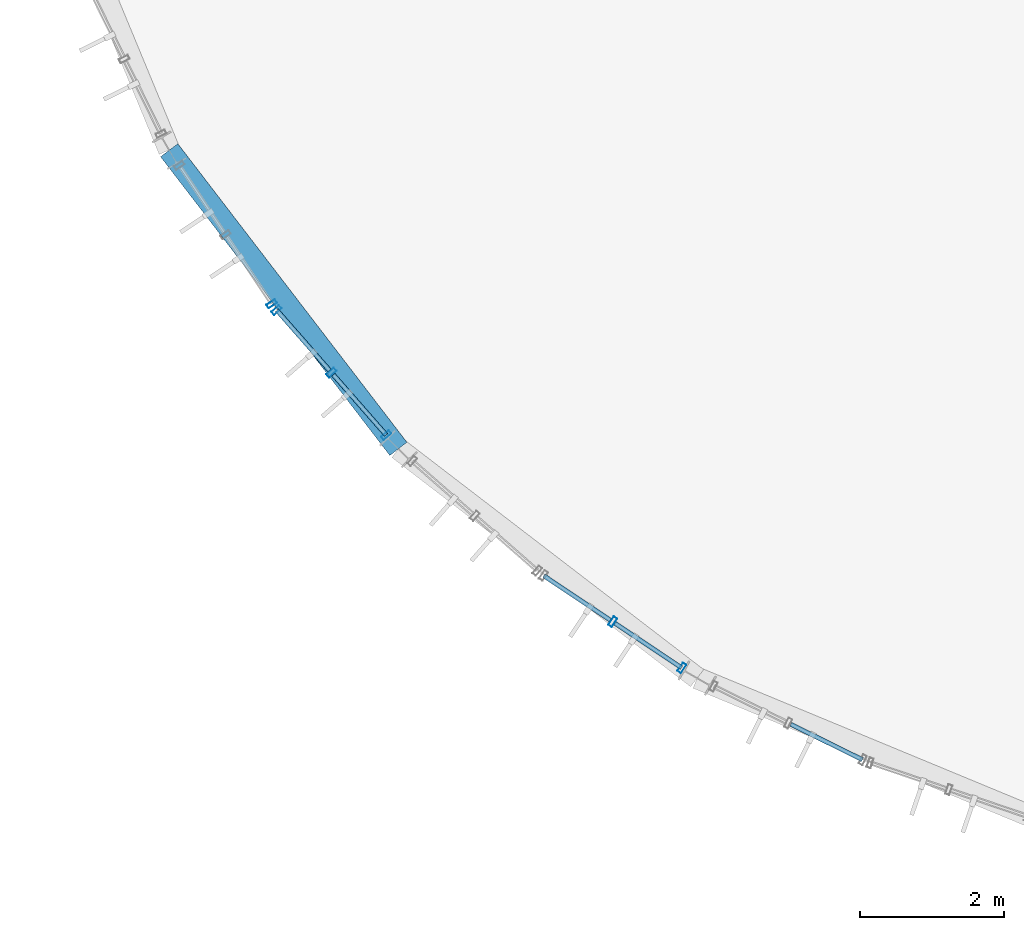
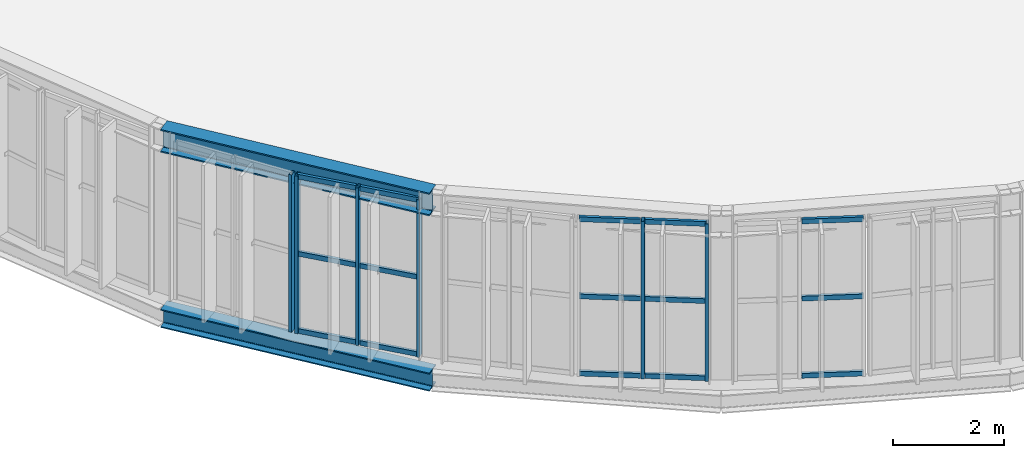
# One storey, part 12 of 152: 21 members, 2 beams, 4 elements without a shape of their own.
"""IFC4 building model written with IfcOpenShell, lengths in metres."""

from ifc_helpers import new_model, si_unit, derived_unit, direction, frame, origin, origin_2d, place, context, subcontext, project, spatial, hollow_rectangle, i_section, extrude, material, material_profile, profile_set, type_object, element, aggregate, save


model = new_model("IFC4")

# Units and contexts
model_context = context("Model", 3, precision=1e-05, world=origin(), true_north=direction((0.0, 1.0)))
body_context = subcontext(model_context, "Body", "Model", "MODEL_VIEW")
ifc_project = project(units=[si_unit("LENGTHUNIT", "METRE"), si_unit("AREAUNIT", "SQUARE_METRE"), si_unit("VOLUMEUNIT", "CUBIC_METRE"), si_unit("PLANEANGLEUNIT", "RADIAN"), si_unit("MASSUNIT", "GRAM", prefix="KILO"), si_unit("THERMODYNAMICTEMPERATUREUNIT", "KELVIN"), si_unit("TIMEUNIT", "SECOND"), derived_unit("THERMALTRANSMITTANCEUNIT", [(si_unit("MASSUNIT", "GRAM", prefix="KILO"), 1), (si_unit("THERMODYNAMICTEMPERATUREUNIT", "KELVIN"), -1), (si_unit("TIMEUNIT", "SECOND"), -3)])], contexts=[model_context])

# Site, building, storey
site_placement = place(None, origin())
site = spatial("IfcSite", under=ifc_project, at=site_placement, CompositionType="ELEMENT")
building_placement = place(site_placement, origin())
building = spatial("IfcBuilding", under=site, at=building_placement, Name="Cambertide Market Hall", CompositionType="ELEMENT")
storey_placement = place(building_placement, frame((0.0, 0.0, 5.39990234375)))
storey = spatial("IfcBuildingStorey", under=building, at=storey_placement, Name="L02", CompositionType="ELEMENT", Elevation=5.39990234375)

# Curtain wall, member
ifc_material_1 = material(Name="Marine Anodized Aluminium 6063-T6 AA25", Category="aluminium")
curtain_wall_type = type_object("IfcCurtainWallType", Name="Lantern Apse Chord Upper Curtain Wall", PredefinedType="USERDEFINED", material=ifc_material_1)
curtain_wall_1_placement = place(storey_placement, origin())
curtain_wall_1 = element("IfcCurtainWall", 1, at=curtain_wall_1_placement, inside=storey, type_object=curtain_wall_type, Name="Level 2 Curtain Wall CW-V1AW-L02-17", ObjectType="UNITIZED CURTAIN WALL", PredefinedType="USERDEFINED")
ifc_material_2 = material(Name="Champagne Marine Anodized Aluminium 6063-T6 AA25", Category="aluminium")
ifc_material_profile_1 = material_profile(ifc_material_2, hollow_rectangle(XDim=0.06005859375, YDim=0.139892578125, WallThickness=0.00341796875, at=origin_2d()), Name="ALU MULLION 60x140")
ifc_profile_set_1 = profile_set([ifc_material_profile_1], Name="Champagne Marine Anodized Aluminium 6063-T6 AA25")
member_type_1 = type_object("IfcMemberType", Name="Curtain Wall Mullion ALU MULLION 60x140", PredefinedType="MULLION", material=ifc_profile_set_1)
member_1_placement = place(storey_placement, frame((26.102294921875, 59.87060546875, 0.0), z_axis=(0.0, 0.0, 1.0), x_axis=(-0.555570087582, 0.831469709481, 0.0)))
member_1 = element("IfcMember", 2, at=member_1_placement, type_object=member_type_1, Name="CW-V1AW-L02-17 Mullion 1", PredefinedType="MULLION", context=body_context, shape_type="SweptSolid", body=[
    extrude(hollow_rectangle(XDim=0.06005859375, YDim=0.139892578125, WallThickness=0.00341796875, at=origin_2d()), origin(), (0.0, 0.0, 1.0), 3.4501953125),
])
aggregate(curtain_wall_1, [member_1])

# Curtain wall, members
curtain_wall_2_placement = place(storey_placement, origin())
curtain_wall_2 = element("IfcCurtainWall", 3, at=curtain_wall_2_placement, inside=storey, type_object=curtain_wall_type, Name="Level 2 Curtain Wall CW-V1AW-L02-18", ObjectType="UNITIZED CURTAIN WALL", PredefinedType="USERDEFINED")
member_2_placement = place(storey_placement, frame((27.689697265625, 58.049560546875, 0.0), z_axis=(0.0, 0.0, 1.0), x_axis=(-0.659345784014, 0.751839834741, 0.0)))
member_2 = element("IfcMember", 4, at=member_2_placement, type_object=member_type_1, Name="CW-V1AW-L02-18 Mullion 1", PredefinedType="MULLION", context=body_context, shape_type="SweptSolid", body=[
    extrude(hollow_rectangle(XDim=0.06005859375, YDim=0.139892578125, WallThickness=0.00341796875, at=origin_2d()), origin(), (0.0, 0.0, 1.0), 3.4501953125),
])
member_3_placement = place(storey_placement, frame((26.929443359375, 58.91650390625, 0.0), z_axis=(0.0, 0.0, 1.0), x_axis=(-0.659345784014, 0.751839834741, 0.0)))
member_3 = element("IfcMember", 5, at=member_3_placement, type_object=member_type_1, Name="CW-V1AW-L02-18 Mullion 2", PredefinedType="MULLION", context=body_context, shape_type="SweptSolid", body=[
    extrude(hollow_rectangle(XDim=0.06005859375, YDim=0.139892578125, WallThickness=0.00341796875, at=origin_2d()), origin(), (0.0, 0.0, 1.0), 3.4501953125),
])
member_4_placement = place(storey_placement, frame((26.169189453125, 59.783447265625, 0.0), z_axis=(0.0, 0.0, 1.0), x_axis=(-0.659345784014, 0.751839834741, 0.0)))
member_4 = element("IfcMember", 6, at=member_4_placement, type_object=member_type_1, Name="CW-V1AW-L02-18 Mullion 3", PredefinedType="MULLION", context=body_context, shape_type="SweptSolid", body=[
    extrude(hollow_rectangle(XDim=0.06005859375, YDim=0.139892578125, WallThickness=0.00341796875, at=origin_2d()), origin(), (0.0, 0.0, 1.0), 3.4501953125),
])

curtain_wall_3_placement = place(storey_placement, origin())
curtain_wall_3 = element("IfcCurtainWall", 7, at=curtain_wall_3_placement, inside=storey, type_object=curtain_wall_type, Name="Level 2 Curtain Wall CW-V1AW-L02-20", ObjectType="UNITIZED CURTAIN WALL", PredefinedType="USERDEFINED")
member_5_placement = place(storey_placement, frame((31.7880859375, 54.821044921875, 0.0), z_axis=(0.0, 0.0, 1.0), x_axis=(-0.831469709481, 0.555570087582, 0.0)))
member_5 = element("IfcMember", 8, at=member_5_placement, type_object=member_type_1, Name="CW-V1AW-L02-20 Mullion 1", PredefinedType="MULLION", context=body_context, shape_type="SweptSolid", body=[
    extrude(hollow_rectangle(XDim=0.06005859375, YDim=0.139892578125, WallThickness=0.00341796875, at=origin_2d()), origin(), (0.0, 0.0, 1.0), 3.4501953125),
])
member_6_placement = place(storey_placement, frame((30.829345703125, 55.461669921875, 0.0), z_axis=(0.0, 0.0, 1.0), x_axis=(-0.831469709481, 0.555570087582, 0.0)))
member_6 = element("IfcMember", 9, at=member_6_placement, type_object=member_type_1, Name="CW-V1AW-L02-20 Mullion 2", PredefinedType="MULLION", context=body_context, shape_type="SweptSolid", body=[
    extrude(hollow_rectangle(XDim=0.06005859375, YDim=0.139892578125, WallThickness=0.00341796875, at=origin_2d()), origin(), (0.0, 0.0, 1.0), 3.4501953125),
])

# Member
ifc_material_3 = material(Name="Champagne Marine Anodized Aluminium 6063-T6 AA25", Category="aluminium")
ifc_material_profile_2 = material_profile(ifc_material_3, hollow_rectangle(XDim=0.06005859375, YDim=0.10498046875, WallThickness=0.0029296875, at=origin_2d()), Name="ALU TRANSOM 60x105")
ifc_profile_set_2 = profile_set([ifc_material_profile_2], Name="Champagne Marine Anodized Aluminium 6063-T6 AA25")
member_type_2 = type_object("IfcMemberType", Name="Curtain Wall Transom ALU TRANSOM 60x105", PredefinedType="USERDEFINED", material=ifc_profile_set_2)
member_7_placement = place(storey_placement, frame((27.6865234375, 58.05322265625, 0.03515625), z_axis=(-0.659330789082, 0.751852984677, 0.0), x_axis=(-0.751852984677, -0.659330789082, 0.0)))
member_7 = element("IfcMember", 10, at=member_7_placement, type_object=member_type_2, Name="CW-V1AW-L02-18 Transom 1-1", ObjectType="TRANSOM", PredefinedType="USERDEFINED", context=body_context, shape_type="SweptSolid", body=[
    extrude(hollow_rectangle(XDim=0.06005859375, YDim=0.10498046875, WallThickness=0.0029296875, at=origin_2d()), origin(), (0.0, 0.0, 1.0), 1.108154296875),
])

member_8_placement = place(storey_placement, frame((26.903076171875, 58.946533203125, 0.03515625), z_axis=(-0.659315460062, 0.751866427049, 0.0), x_axis=(-0.751866427049, -0.659315460062, 0.0)))
member_8 = element("IfcMember", 11, at=member_8_placement, type_object=member_type_2, Name="CW-V1AW-L02-18 Transom 1-2", ObjectType="TRANSOM", PredefinedType="USERDEFINED", context=body_context, shape_type="SweptSolid", body=[
    extrude(hollow_rectangle(XDim=0.06005859375, YDim=0.10498046875, WallThickness=0.0029296875, at=origin_2d()), origin(), (0.0, 0.0, 1.0), 1.10791015625),
])

member_9_placement = place(storey_placement, frame((27.6865234375, 58.05322265625, 1.72509765625), z_axis=(-0.659330789082, 0.751852984677, 0.0), x_axis=(-0.751852984677, -0.659330789082, 0.0)))
member_9 = element("IfcMember", 12, at=member_9_placement, type_object=member_type_2, Name="CW-V1AW-L02-18 Transom 2-1", ObjectType="TRANSOM", PredefinedType="USERDEFINED", context=body_context, shape_type="SweptSolid", body=[
    extrude(hollow_rectangle(XDim=0.06005859375, YDim=0.10498046875, WallThickness=0.0029296875, at=origin_2d()), origin(), (0.0, 0.0, 1.0), 1.108154296875),
])

member_10_placement = place(storey_placement, frame((26.903076171875, 58.946533203125, 1.72509765625), z_axis=(-0.659315460062, 0.751866427049, 0.0), x_axis=(-0.751866427049, -0.659315460062, 0.0)))
member_10 = element("IfcMember", 13, at=member_10_placement, type_object=member_type_2, Name="CW-V1AW-L02-18 Transom 2-2", ObjectType="TRANSOM", PredefinedType="USERDEFINED", context=body_context, shape_type="SweptSolid", body=[
    extrude(hollow_rectangle(XDim=0.06005859375, YDim=0.10498046875, WallThickness=0.0029296875, at=origin_2d()), origin(), (0.0, 0.0, 1.0), 1.10791015625),
])

member_11_placement = place(storey_placement, frame((27.6865234375, 58.05322265625, 3.4150390625), z_axis=(-0.659330789082, 0.751852984677, 0.0), x_axis=(-0.751852984677, -0.659330789082, 0.0)))
member_11 = element("IfcMember", 14, at=member_11_placement, type_object=member_type_2, Name="CW-V1AW-L02-18 Transom 3-1", ObjectType="TRANSOM", PredefinedType="USERDEFINED", context=body_context, shape_type="SweptSolid", body=[
    extrude(hollow_rectangle(XDim=0.06005859375, YDim=0.10498046875, WallThickness=0.0029296875, at=origin_2d()), origin(), (0.0, 0.0, 1.0), 1.108154296875),
])

member_12_placement = place(storey_placement, frame((26.903076171875, 58.946533203125, 3.4150390625), z_axis=(-0.659315460062, 0.751866427049, 0.0), x_axis=(-0.751866427049, -0.659315460062, 0.0)))
member_12 = element("IfcMember", 15, at=member_12_placement, type_object=member_type_2, Name="CW-V1AW-L02-18 Transom 3-2", ObjectType="TRANSOM", PredefinedType="USERDEFINED", context=body_context, shape_type="SweptSolid", body=[
    extrude(hollow_rectangle(XDim=0.06005859375, YDim=0.10498046875, WallThickness=0.0029296875, at=origin_2d()), origin(), (0.0, 0.0, 1.0), 1.10791015625),
])

aggregate(curtain_wall_2, [member_2, member_3, member_4, member_7, member_8, member_9, member_10, member_11, member_12])

member_13_placement = place(storey_placement, frame((31.783935546875, 54.823974609375, 0.03515625), z_axis=(-0.83154148111, 0.555462658685, 0.0), x_axis=(-0.555462658685, -0.83154148111, 0.0)))
member_13 = element("IfcMember", 16, at=member_13_placement, type_object=member_type_2, Name="CW-V1AW-L02-20 Transom 1-1", ObjectType="TRANSOM", PredefinedType="USERDEFINED", context=body_context, shape_type="SweptSolid", body=[
    extrude(hollow_rectangle(XDim=0.06005859375, YDim=0.10498046875, WallThickness=0.0029296875, at=origin_2d()), origin(), (0.0, 0.0, 1.0), 1.108154296875),
])

member_14_placement = place(storey_placement, frame((30.7958984375, 55.48388671875, 0.03515625), z_axis=(-0.831371680054, 0.55571677103, 0.0), x_axis=(-0.55571677103, -0.831371680054, 0.0)))
member_14 = element("IfcMember", 17, at=member_14_placement, type_object=member_type_2, Name="CW-V1AW-L02-20 Transom 1-2", ObjectType="TRANSOM", PredefinedType="USERDEFINED", context=body_context, shape_type="SweptSolid", body=[
    extrude(hollow_rectangle(XDim=0.06005859375, YDim=0.10498046875, WallThickness=0.0029296875, at=origin_2d()), origin(), (0.0, 0.0, 1.0), 1.10791015625),
])

member_15_placement = place(storey_placement, frame((31.783935546875, 54.823974609375, 1.72509765625), z_axis=(-0.83154148111, 0.555462658685, 0.0), x_axis=(-0.555462658685, -0.83154148111, 0.0)))
member_15 = element("IfcMember", 18, at=member_15_placement, type_object=member_type_2, Name="CW-V1AW-L02-20 Transom 2-1", ObjectType="TRANSOM", PredefinedType="USERDEFINED", context=body_context, shape_type="SweptSolid", body=[
    extrude(hollow_rectangle(XDim=0.06005859375, YDim=0.10498046875, WallThickness=0.0029296875, at=origin_2d()), origin(), (0.0, 0.0, 1.0), 1.108154296875),
])

member_16_placement = place(storey_placement, frame((30.7958984375, 55.48388671875, 1.72509765625), z_axis=(-0.831371680054, 0.55571677103, 0.0), x_axis=(-0.55571677103, -0.831371680054, 0.0)))
member_16 = element("IfcMember", 19, at=member_16_placement, type_object=member_type_2, Name="CW-V1AW-L02-20 Transom 2-2", ObjectType="TRANSOM", PredefinedType="USERDEFINED", context=body_context, shape_type="SweptSolid", body=[
    extrude(hollow_rectangle(XDim=0.06005859375, YDim=0.10498046875, WallThickness=0.0029296875, at=origin_2d()), origin(), (0.0, 0.0, 1.0), 1.10791015625),
])

member_17_placement = place(storey_placement, frame((31.783935546875, 54.823974609375, 3.4150390625), z_axis=(-0.83154148111, 0.555462658685, 0.0), x_axis=(-0.555462658685, -0.83154148111, 0.0)))
member_17 = element("IfcMember", 20, at=member_17_placement, type_object=member_type_2, Name="CW-V1AW-L02-20 Transom 3-1", ObjectType="TRANSOM", PredefinedType="USERDEFINED", context=body_context, shape_type="SweptSolid", body=[
    extrude(hollow_rectangle(XDim=0.06005859375, YDim=0.10498046875, WallThickness=0.0029296875, at=origin_2d()), origin(), (0.0, 0.0, 1.0), 1.108154296875),
])

member_18_placement = place(storey_placement, frame((30.7958984375, 55.48388671875, 3.4150390625), z_axis=(-0.831371680054, 0.55571677103, 0.0), x_axis=(-0.55571677103, -0.831371680054, 0.0)))
member_18 = element("IfcMember", 21, at=member_18_placement, type_object=member_type_2, Name="CW-V1AW-L02-20 Transom 3-2", ObjectType="TRANSOM", PredefinedType="USERDEFINED", context=body_context, shape_type="SweptSolid", body=[
    extrude(hollow_rectangle(XDim=0.06005859375, YDim=0.10498046875, WallThickness=0.0029296875, at=origin_2d()), origin(), (0.0, 0.0, 1.0), 1.10791015625),
])

aggregate(curtain_wall_3, [member_5, member_6, member_13, member_14, member_15, member_16, member_17, member_18])

# Curtain wall, members
curtain_wall_4_placement = place(storey_placement, origin())
curtain_wall_4 = element("IfcCurtainWall", 22, at=curtain_wall_4_placement, inside=storey, type_object=curtain_wall_type, Name="Level 2 Curtain Wall CW-V1AW-L02-21", ObjectType="UNITIZED CURTAIN WALL", PredefinedType="USERDEFINED")
member_19_placement = place(storey_placement, frame((34.29248046875, 53.548828125, 0.03515625), z_axis=(-0.896794227794, 0.44244786472, 0.0), x_axis=(-0.44244786472, -0.896794227794, 0.0)))
member_19 = element("IfcMember", 23, at=member_19_placement, type_object=member_type_2, Name="CW-V1AW-L02-21 Transom 1-1", ObjectType="TRANSOM", PredefinedType="USERDEFINED", context=body_context, shape_type="SweptSolid", body=[
    extrude(hollow_rectangle(XDim=0.06005859375, YDim=0.10498046875, WallThickness=0.0029296875, at=origin_2d()), origin(), (0.0, 0.0, 1.0), 1.10791015625),
])
member_20_placement = place(storey_placement, frame((34.29248046875, 53.548828125, 1.72509765625), z_axis=(-0.896794227794, 0.44244786472, 0.0), x_axis=(-0.44244786472, -0.896794227794, 0.0)))
member_20 = element("IfcMember", 24, at=member_20_placement, type_object=member_type_2, Name="CW-V1AW-L02-21 Transom 2-1", ObjectType="TRANSOM", PredefinedType="USERDEFINED", context=body_context, shape_type="SweptSolid", body=[
    extrude(hollow_rectangle(XDim=0.06005859375, YDim=0.10498046875, WallThickness=0.0029296875, at=origin_2d()), origin(), (0.0, 0.0, 1.0), 1.10791015625),
])
member_21_placement = place(storey_placement, frame((34.29248046875, 53.548828125, 3.4150390625), z_axis=(-0.896794227794, 0.44244786472, 0.0), x_axis=(-0.44244786472, -0.896794227794, 0.0)))
member_21 = element("IfcMember", 25, at=member_21_placement, type_object=member_type_2, Name="CW-V1AW-L02-21 Transom 3-1", ObjectType="TRANSOM", PredefinedType="USERDEFINED", context=body_context, shape_type="SweptSolid", body=[
    extrude(hollow_rectangle(XDim=0.06005859375, YDim=0.10498046875, WallThickness=0.0029296875, at=origin_2d()), origin(), (0.0, 0.0, 1.0), 1.10791015625),
])
aggregate(curtain_wall_4, [member_19, member_20, member_21])

# Beams
ifc_material_4 = material(Name="Steel S355", Category="steel")
ifc_material_profile_3 = material_profile(ifc_material_4, i_section(OverallWidth=0.300048828125, OverallDepth=0.5, WebThickness=0.014404296875, FlangeThickness=0.028076171875, FilletRadius=0.027099609375, at=origin_2d()), Name="HEB 500")
ifc_profile_set_3 = profile_set([ifc_material_profile_3], Name="Steel S355")
beam_type_1 = type_object("IfcBeamType", Name="Exterior Steel Girder HEB 500", PredefinedType="BEAM", material=ifc_profile_set_3)
beam_1_placement = place(storey_placement, frame((24.679443359375, 62.0, 3.4501953125), z_axis=(0.608777037117, -0.793341363525, 0.0), x_axis=(0.793341363525, 0.608777037117, 0.0)))
element("IfcBeam", 26, at=beam_1_placement, inside=storey, type_object=beam_type_1, Name="Level 2 Beam EAVE-V1AW-09", PredefinedType="BEAM", context=body_context, shape_type="SweptSolid", body=[
    extrude(i_section(OverallWidth=0.300048828125, OverallDepth=0.5, WebThickness=0.014404296875, FlangeThickness=0.028076171875, FilletRadius=0.027099609375, at=origin_2d()), origin(), (0.0, 0.0, 1.0), 5.220947265625),
])
ifc_material_5 = material(Name="Steel S355", Category="steel")
ifc_material_profile_4 = material_profile(ifc_material_5, i_section(OverallWidth=0.300048828125, OverallDepth=0.39990234375, WebThickness=0.013427734375, FlangeThickness=0.02392578125, FilletRadius=0.027099609375, at=origin_2d()), Name="HEB 400")
ifc_profile_set_4 = profile_set([ifc_material_profile_4], Name="Steel S355")
beam_type_2 = type_object("IfcBeamType", Name="Steel Girder HEB 400", PredefinedType="BEAM", material=ifc_profile_set_4)
beam_2_placement = place(storey_placement, frame((24.679443359375, 62.0, -0.43994140625), z_axis=(0.608777037117, -0.793341363525, 0.0), x_axis=(0.793341363525, 0.608777037117, 0.0)))
element("IfcBeam", 27, at=beam_2_placement, inside=storey, type_object=beam_type_2, Name="Level 2 Beam BM-V1AW-L02-9", PredefinedType="BEAM", context=body_context, shape_type="SweptSolid", body=[
    extrude(i_section(OverallWidth=0.300048828125, OverallDepth=0.39990234375, WebThickness=0.013427734375, FlangeThickness=0.02392578125, FilletRadius=0.027099609375, at=origin_2d()), origin(), (0.0, 0.0, 1.0), 5.220947265625),
])

save(model, "model.ifc")
